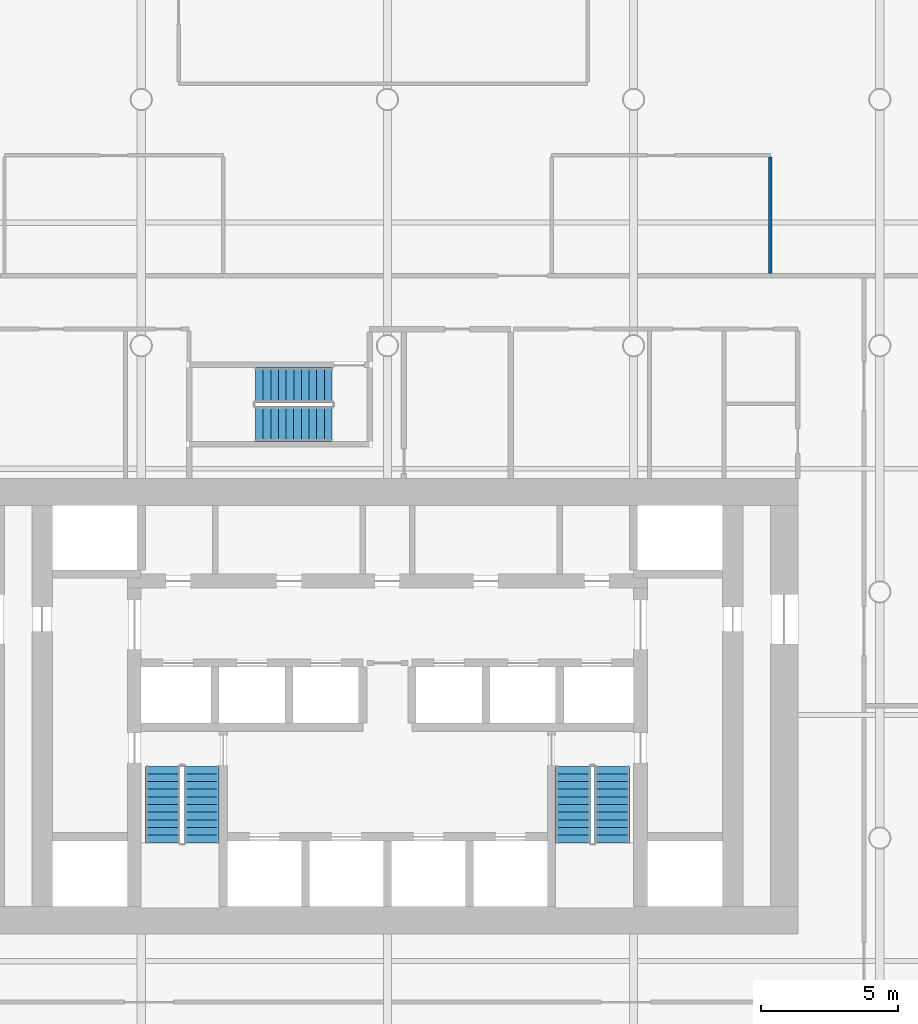
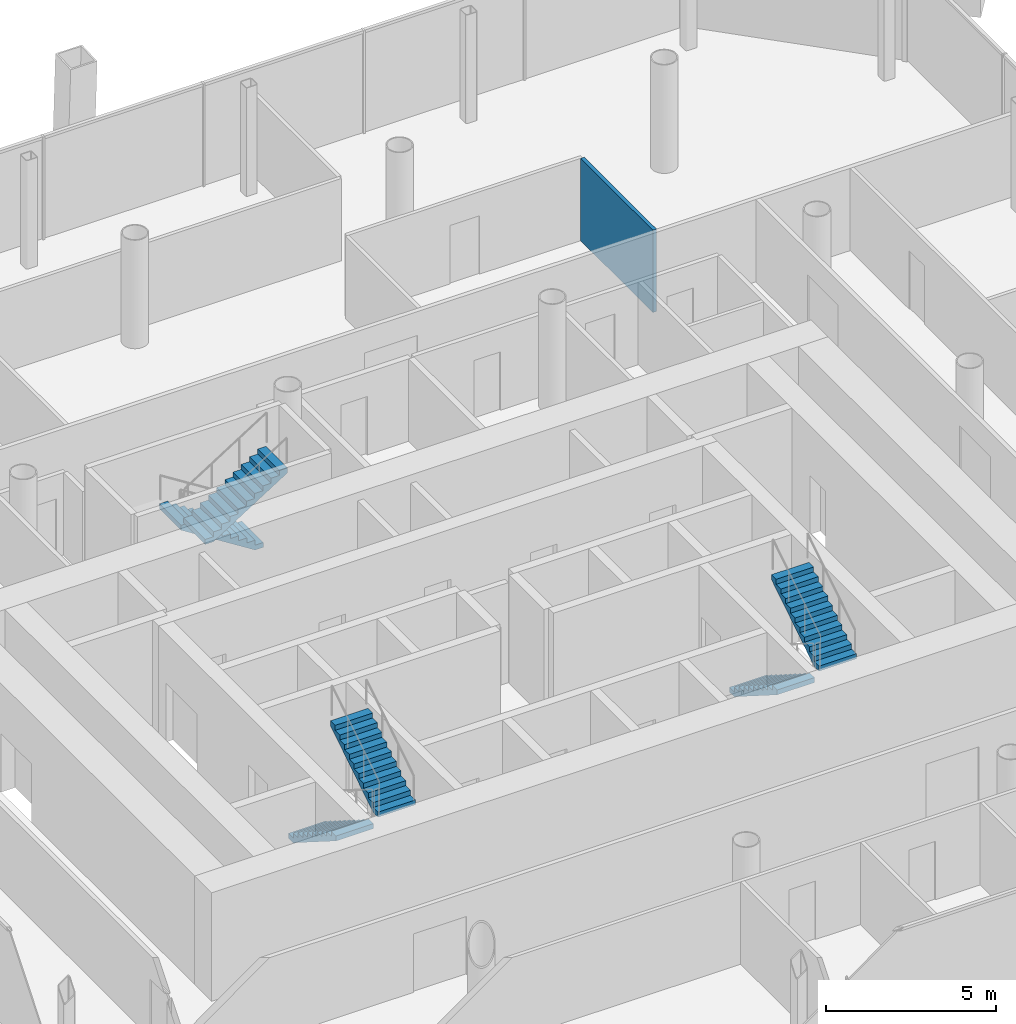
# One storey, part 14 of 19: 6 stair flights, 1 wall, 3 elements without a shape of their own.
"""IFC4 building model written with IfcOpenShell, lengths in metres."""

import ifcopenshell
import ifcopenshell.guid

model = None  # the IFC model being written
_history = None  # IfcOwnerHistory: only IFC2X3 demands one
_inside = {}  # id of a spatial element -> (the spatial element, [elements in it])
_under = {}  # id of a project, library or spatial element -> (it, [spatial elements below it])
_declared = {}  # id of a project -> (the project, [libraries it declares])
_typed = {}  # id of a type object -> (the type object, [elements of that type])
_made_of = {}  # id of a material, layer set ... -> (it, [elements and type objects made of it])


def new_model(schema):
    """Start an empty IFC model of exactly this schema.

    Asked for "IFC4X3", IfcOpenShell would pick the latest addendum, in which some entities
    have other attributes; the version numbers below select the first issue.
    IFC2X3 requires an IfcOwnerHistory on every rooted entity: one is made here for all.
    """
    global model, _history
    if schema == "IFC4X3":
        model = ifcopenshell.file(schema_version=(4, 3, 0, 0))
    else:
        model = ifcopenshell.file(schema=schema)
    _inside.clear()
    _under.clear()
    _declared.clear()
    _typed.clear()
    _made_of.clear()
    _history = None
    if model.schema == "IFC2X3":
        org = make("IfcOrganization", Name="unknown")
        user = make(
            "IfcPersonAndOrganization",
            ThePerson=make("IfcPerson", FamilyName="unknown"),
            TheOrganization=org,
        )
        app = make(
            "IfcApplication",
            ApplicationDeveloper=org,
            Version="unknown",
            ApplicationFullName="unknown",
            ApplicationIdentifier="unknown",
        )
        _history = make(
            "IfcOwnerHistory",
            OwningUser=user,
            OwningApplication=app,
            ChangeAction="ADDED",
            CreationDate=0,
        )
    return model


def make(cls, **values):
    """One entity of the class cls with the attributes given. An attribute that is None is left unset."""
    return model.create_entity(
        cls, **{name: value for name, value in values.items() if value is not None}
    )


def rooted(cls, **values):
    """An entity with a GlobalId (a new one), such as an element, a storey or a relation."""
    return make(cls, GlobalId=ifcopenshell.guid.new(), OwnerHistory=_history, **values)


def si_unit(unit_type, name, prefix=None):
    """IfcSIUnit, for example si_unit("LENGTHUNIT", "METRE", prefix="MILLI")."""
    return make("IfcSIUnit", UnitType=unit_type, Prefix=prefix, Name=name)


def assignment(units):
    """IfcUnitAssignment: the units of a project."""
    return None if units is None else make("IfcUnitAssignment", Units=units)


def point(xyz):
    """IfcCartesianPoint."""
    return None if xyz is None else make("IfcCartesianPoint", Coordinates=xyz)


def direction(xyz):
    """IfcDirection."""
    return None if xyz is None else make("IfcDirection", DirectionRatios=xyz)


def frame(location, z_axis=None, x_axis=None):
    """IfcAxis2Placement3D, a coordinate frame: its origin and axes. An axis left out is left unset."""
    return make(
        "IfcAxis2Placement3D",
        Location=point(location),
        Axis=direction(z_axis),
        RefDirection=direction(x_axis),
    )


def frame_2d(location, x_axis=None):
    """IfcAxis2Placement2D, a coordinate frame in the plane: its origin and x axis."""
    return make(
        "IfcAxis2Placement2D", Location=point(location), RefDirection=direction(x_axis)
    )


def origin():
    """The frame at (0, 0, 0) with its axes left unset."""
    return frame((0.0, 0.0, 0.0))


def place(relative_to, where):
    """IfcLocalPlacement: puts the frame where relative to a parent placement (None: the world)."""
    return make(
        "IfcLocalPlacement", PlacementRelTo=relative_to, RelativePlacement=where
    )


def context(
    kind, dimensions, precision=None, world=None, true_north=None, identifier=None
):
    """IfcGeometricRepresentationContext, for example the 3D "Model" context."""
    return make(
        "IfcGeometricRepresentationContext",
        ContextIdentifier=identifier,
        ContextType=kind,
        CoordinateSpaceDimension=dimensions,
        Precision=precision,
        WorldCoordinateSystem=world,
        TrueNorth=true_north,
    )


def subcontext(parent, identifier, kind, view, scale=None):
    """IfcGeometricRepresentationSubContext, for example "Body" below "Model"."""
    return make(
        "IfcGeometricRepresentationSubContext",
        ContextIdentifier=identifier,
        ContextType=kind,
        ParentContext=parent,
        TargetScale=scale,
        TargetView=view,
    )


def project(units=None, contexts=None):
    """IfcProject with its units and contexts."""
    return rooted(
        "IfcProject",
        Name="project",
        RepresentationContexts=contexts,
        UnitsInContext=assignment(units),
    )


def spatial(cls, under=None, at=None, **own):
    """A site, building, storey or space (cls), placed at a placement, below another one or the project."""
    s = rooted(cls, ObjectPlacement=at, **own)
    if under is not None:
        _under.setdefault(under.id(), (under, []))[1].append(s)
    return s


def polyline(points):
    """IfcPolyline through the points."""
    return make("IfcPolyline", Points=[point(p) for p in points])


def profile(cls, at=None, kind="AREA", **sizes):
    """A parametric profile (cls). Its sizes go by their IFC names, for example OverallWidth=200.0."""
    return make(cls, ProfileType=kind, Position=at, **sizes)


def rectangle(**sizes):
    """IfcRectangleProfileDef."""
    return profile("IfcRectangleProfileDef", **sizes)


def outline(outer, holes=None, kind="AREA"):
    """IfcArbitraryClosedProfileDef: a profile drawn as a closed curve; with holes, ...WithVoids."""
    if holes is None:
        return make("IfcArbitraryClosedProfileDef", ProfileType=kind, OuterCurve=outer)
    return make(
        "IfcArbitraryProfileDefWithVoids",
        ProfileType=kind,
        OuterCurve=outer,
        InnerCurves=holes,
    )


def extrude(swept, where, along, depth):
    """IfcExtrudedAreaSolid: the profile swept, set in the frame where, extruded along a direction by depth."""
    return make(
        "IfcExtrudedAreaSolid",
        SweptArea=swept,
        Position=where,
        ExtrudedDirection=direction(along),
        Depth=depth,
    )


def shape(context_of_items, identifier, shape_type, items):
    """IfcShapeRepresentation: the items that make up one representation, for example the "Body"."""
    return make(
        "IfcShapeRepresentation",
        ContextOfItems=context_of_items,
        RepresentationIdentifier=identifier,
        RepresentationType=shape_type,
        Items=items,
    )


def material(Name=None, Category=None):
    """IfcMaterial."""
    return make("IfcMaterial", Name=Name, Category=Category)


def layer(
    of_material, thickness, ventilated=None, Name=None, Category=None, Priority=None
):
    """IfcMaterialLayer: one layer of a wall or slab, of a material (None: an air gap)."""
    return make(
        "IfcMaterialLayer",
        Material=of_material,
        LayerThickness=thickness,
        IsVentilated=ventilated,
        Name=Name,
        Category=Category,
        Priority=Priority,
    )


def layer_set(layers, Name=None):
    """IfcMaterialLayerSet."""
    return make("IfcMaterialLayerSet", MaterialLayers=layers, LayerSetName=Name)


def made_of(thing, what):
    """Note that an element or type object is made of a material, layer set ...; save() writes the relation."""
    if what is not None:
        _made_of.setdefault(what.id(), (what, []))[1].append(thing)
    return thing


def type_object(cls, material=None, **own):
    """A type object (cls), such as IfcWallType, which elements share."""
    return made_of(rooted(cls, **own), material)


def element(
    cls,
    number,
    at=None,
    inside=None,
    cuts=None,
    type_object=None,
    material=None,
    context=None,
    identifier="Body",
    shape_type=None,
    held_by="IfcProductDefinitionShape",
    body=None,
    shapes=None,
    **own,
):
    """One element of the class cls, such as IfcWall. Its Tag is "e" and its number.

    at: its placement. inside: the storey or other place that contains it. cuts: it is an
    opening in that element (IfcRelVoidsElement). A single representation is given by context,
    identifier, shape_type and body (its items); several are given by shapes. held_by: the class
    of the entity that holds the representations. save() writes the other relations.
    """
    e = rooted(cls, Tag="e%d" % number, ObjectPlacement=at, **own)
    if body is not None:
        shapes = [shape(context, identifier, shape_type, body)]
    if shapes is not None:
        e.Representation = make(held_by, Representations=shapes)
    if inside is not None:
        _inside.setdefault(inside.id(), (inside, []))[1].append(e)
    if cuts is not None:
        rooted(
            "IfcRelVoidsElement", RelatingBuildingElement=cuts, RelatedOpeningElement=e
        )
    if type_object is not None:
        _typed.setdefault(type_object.id(), (type_object, []))[1].append(e)
    return made_of(e, material)


def aggregate(whole, parts):
    """IfcRelAggregates: a whole, such as a stair, and the parts it consists of."""
    return rooted("IfcRelAggregates", RelatingObject=whole, RelatedObjects=parts)


def save(model, path):
    """Write the relations noted so far, then the file.

    IfcRelAggregates (storeys below a building ...), IfcRelContainedInSpatialStructure (elements
    in a storey), IfcRelDefinesByType, IfcRelAssociatesMaterial and IfcRelDeclares: one each for
    every whole, place, type object, material and project.
    """
    for whole, parts in _under.values():
        aggregate(whole, parts)
    for where, things in _inside.values():
        rooted(
            "IfcRelContainedInSpatialStructure",
            RelatedElements=things,
            RelatingStructure=where,
        )
    for kind, things in _typed.values():
        rooted("IfcRelDefinesByType", RelatedObjects=things, RelatingType=kind)
    for what, things in _made_of.values():
        rooted("IfcRelAssociatesMaterial", RelatedObjects=things, RelatingMaterial=what)
    for by, libraries in _declared.values():
        rooted("IfcRelDeclares", RelatingContext=by, RelatedDefinitions=libraries)
    model.write(path)


model = new_model("IFC4")

# Units and contexts
model_context = context("Model", 3, precision=1e-05, world=origin(), true_north=direction((0.0, 1.0)))
body_context = subcontext(model_context, "Body", "Model", "MODEL_VIEW")
ifc_project = project(units=[si_unit("LENGTHUNIT", "METRE"), si_unit("AREAUNIT", "SQUARE_METRE"), si_unit("VOLUMEUNIT", "CUBIC_METRE"), si_unit("PLANEANGLEUNIT", "RADIAN"), si_unit("MASSUNIT", "GRAM", prefix="KILO")], contexts=[model_context])

# Site, building, storey
site_placement = place(None, origin())
site = spatial("IfcSite", under=ifc_project, at=site_placement, CompositionType="ELEMENT")
building_placement = place(site_placement, origin())
building = spatial("IfcBuilding", under=site, at=building_placement, Name="Tskaro Facet Tower", CompositionType="ELEMENT")
storey_placement = place(building_placement, frame((0.0, 0.0, 101.10009765625)))
storey = spatial("IfcBuildingStorey", under=building, at=storey_placement, Name="L24", CompositionType="ELEMENT", Elevation=101.10009765625)

# Wall
ifc_material_1 = material(Name="Gypsum board on steel studs", Category="steel")
ifc_layer = layer(ifc_material_1, 0.125, Name="Gypsum board on steel studs")
ifc_layer_set = layer_set([ifc_layer], Name="Gypsum board on steel studs")
wall_type = type_object("IfcWallType", Name="PART", PredefinedType="PARTITIONING", material=ifc_layer_set)
wall_placement = place(storey_placement, frame((14.0, 11.6298828125, 0.0), z_axis=(0.0, 0.0, 1.0), x_axis=(0.0, 1.0, 0.0)))
element("IfcWall", 1, at=wall_placement, inside=storey, type_object=wall_type, Name="Partition W068", PredefinedType="PARTITIONING", context=body_context, shape_type="SweptSolid", body=[
    extrude(rectangle(XDim=4.2626953125, YDim=0.125, at=frame_2d((2.13134765625, 0.0))), origin(), (0.0, 0.0, 1.0), 2.9599609375),
])

# Stair, stair flights
ifc_material_2 = material(Name="Concrete C40/50", Category="concrete")
stair_type = type_object("IfcStairType", Name="ST-TWR", PredefinedType="HALF_TURN_STAIR", material=ifc_material_2)
stair_1_placement = place(storey_placement, origin())
stair_1 = element("IfcStair", 2, at=stair_1_placement, inside=storey, type_object=stair_type, Name="L24 Exit stair 1", PredefinedType="HALF_TURN_STAIR")
stair_flight_type = type_object("IfcStairFlightType", Name="SFL-RC", PredefinedType="STRAIGHT", material=ifc_material_2)
stair_flight_1_placement = place(storey_placement, frame((-8.21240234375, -6.375, 0.0), z_axis=(0.0, 0.0, 1.0), x_axis=(0.0, -1.0, 0.0)))
stair_flight_1 = element("IfcStairFlight", 3, at=stair_flight_1_placement, type_object=stair_flight_type, Name="ST-1 flight 1", NumberOfRisers=11, NumberOfTreads=10, PredefinedType="STRAIGHT", RiserHeight=0.177272727, TreadLength=0.28, context=body_context, shape_type="SweptSolid", body=[
    extrude(outline(polyline([(0.0, 0.0), (0.0, 0.17724609375), (0.280029296875, 0.17724609375), (0.280029296875, 0.3544921875), (0.56005859375, 0.3544921875), (0.56005859375, 0.53173828125), (0.840087890625, 0.53173828125), (0.840087890625, 0.708984375), (1.1201171875, 0.708984375), (1.1201171875, 0.886474609375), (1.39990234375, 0.886474609375), (1.39990234375, 1.063720703125), (1.679931640625, 1.063720703125), (1.679931640625, 1.240966796875), (1.9599609375, 1.240966796875), (1.9599609375, 1.418212890625), (2.239990234375, 1.418212890625), (2.239990234375, 1.595458984375), (2.52001953125, 1.595458984375), (2.52001953125, 1.772705078125), (2.800048828125, 1.772705078125), (2.800048828125, 1.949951171875), (2.800048828125, 1.59521484375), (0.2802734375, 0.0), (0.0, 0.0)])), frame((0.0, 0.637451171875, 0.0), z_axis=(0.0, -1.0, 0.0), x_axis=(1.0, 0.0, 0.0)), (0.0, 0.0, 1.0), 1.27490234375),
])
stair_flight_2_placement = place(storey_placement, frame((-6.78759765625, -9.175048828125, 1.949951171875), z_axis=(0.0, 0.0, 1.0), x_axis=(0.0, 1.0, 0.0)))
stair_flight_2 = element("IfcStairFlight", 4, at=stair_flight_2_placement, type_object=stair_flight_type, Name="ST-1 flight 2", NumberOfRisers=11, NumberOfTreads=10, PredefinedType="STRAIGHT", RiserHeight=0.177272727, TreadLength=0.28, context=body_context, shape_type="SweptSolid", body=[
    extrude(outline(polyline([(0.0, 0.0), (0.0, 0.17724609375), (0.280029296875, 0.17724609375), (0.280029296875, 0.3544921875), (0.56005859375, 0.3544921875), (0.56005859375, 0.53173828125), (0.840087890625, 0.53173828125), (0.840087890625, 0.708984375), (1.1201171875, 0.708984375), (1.1201171875, 0.886474609375), (1.39990234375, 0.886474609375), (1.39990234375, 1.063720703125), (1.679931640625, 1.063720703125), (1.679931640625, 1.240966796875), (1.9599609375, 1.240966796875), (1.9599609375, 1.418212890625), (2.239990234375, 1.418212890625), (2.239990234375, 1.595458984375), (2.52001953125, 1.595458984375), (2.52001953125, 1.772705078125), (2.800048828125, 1.772705078125), (2.800048828125, 1.949951171875), (2.800048828125, 1.59521484375), (0.2802734375, 0.0), (0.0, 0.0)])), frame((0.0, 0.637451171875, 0.0), z_axis=(0.0, -1.0, 0.0), x_axis=(1.0, 0.0, 0.0)), (0.0, 0.0, 1.0), 1.27490234375),
])
aggregate(stair_1, [stair_flight_1, stair_flight_2])

stair_2_placement = place(storey_placement, origin())
stair_2 = element("IfcStair", 5, at=stair_2_placement, inside=storey, type_object=stair_type, Name="L24 Exit stair 2", PredefinedType="HALF_TURN_STAIR")
stair_flight_3_placement = place(storey_placement, frame((6.78759765625, -6.375, 0.0), z_axis=(0.0, 0.0, 1.0), x_axis=(0.0, -1.0, 0.0)))
stair_flight_3 = element("IfcStairFlight", 6, at=stair_flight_3_placement, type_object=stair_flight_type, Name="ST-2 flight 1", NumberOfRisers=11, NumberOfTreads=10, PredefinedType="STRAIGHT", RiserHeight=0.177272727, TreadLength=0.28, context=body_context, shape_type="SweptSolid", body=[
    extrude(outline(polyline([(0.0, 0.0), (0.0, 0.17724609375), (0.280029296875, 0.17724609375), (0.280029296875, 0.3544921875), (0.56005859375, 0.3544921875), (0.56005859375, 0.53173828125), (0.840087890625, 0.53173828125), (0.840087890625, 0.708984375), (1.1201171875, 0.708984375), (1.1201171875, 0.886474609375), (1.39990234375, 0.886474609375), (1.39990234375, 1.063720703125), (1.679931640625, 1.063720703125), (1.679931640625, 1.240966796875), (1.9599609375, 1.240966796875), (1.9599609375, 1.418212890625), (2.239990234375, 1.418212890625), (2.239990234375, 1.595458984375), (2.52001953125, 1.595458984375), (2.52001953125, 1.772705078125), (2.800048828125, 1.772705078125), (2.800048828125, 1.949951171875), (2.800048828125, 1.59521484375), (0.2802734375, 0.0), (0.0, 0.0)])), frame((0.0, 0.637451171875, 0.0), z_axis=(0.0, -1.0, 0.0), x_axis=(1.0, 0.0, 0.0)), (0.0, 0.0, 1.0), 1.27490234375),
])
stair_flight_4_placement = place(storey_placement, frame((8.21240234375, -9.175048828125, 1.949951171875), z_axis=(0.0, 0.0, 1.0), x_axis=(0.0, 1.0, 0.0)))
stair_flight_4 = element("IfcStairFlight", 7, at=stair_flight_4_placement, type_object=stair_flight_type, Name="ST-2 flight 2", NumberOfRisers=11, NumberOfTreads=10, PredefinedType="STRAIGHT", RiserHeight=0.177272727, TreadLength=0.28, context=body_context, shape_type="SweptSolid", body=[
    extrude(outline(polyline([(0.0, 0.0), (0.0, 0.17724609375), (0.280029296875, 0.17724609375), (0.280029296875, 0.3544921875), (0.56005859375, 0.3544921875), (0.56005859375, 0.53173828125), (0.840087890625, 0.53173828125), (0.840087890625, 0.708984375), (1.1201171875, 0.708984375), (1.1201171875, 0.886474609375), (1.39990234375, 0.886474609375), (1.39990234375, 1.063720703125), (1.679931640625, 1.063720703125), (1.679931640625, 1.240966796875), (1.9599609375, 1.240966796875), (1.9599609375, 1.418212890625), (2.239990234375, 1.418212890625), (2.239990234375, 1.595458984375), (2.52001953125, 1.595458984375), (2.52001953125, 1.772705078125), (2.800048828125, 1.772705078125), (2.800048828125, 1.949951171875), (2.800048828125, 1.59521484375), (0.2802734375, 0.0), (0.0, 0.0)])), frame((0.0, 0.637451171875, 0.0), z_axis=(0.0, -1.0, 0.0), x_axis=(1.0, 0.0, 0.0)), (0.0, 0.0, 1.0), 1.27490234375),
])
aggregate(stair_2, [stair_flight_3, stair_flight_4])

stair_3_placement = place(storey_placement, origin())
stair_3 = element("IfcStair", 8, at=stair_3_placement, inside=storey, type_object=stair_type, Name="L24 Exit stair 3", PredefinedType="HALF_TURN_STAIR")
stair_flight_5_placement = place(storey_placement, frame((-2.02490234375, 7.5625, 0.0), z_axis=(0.0, 0.0, 1.0), x_axis=(-1.0, 0.0, 0.0)))
stair_flight_5 = element("IfcStairFlight", 9, at=stair_flight_5_placement, type_object=stair_flight_type, Name="ST-3 flight 1", NumberOfRisers=11, NumberOfTreads=10, PredefinedType="STRAIGHT", RiserHeight=0.177272727, TreadLength=0.28, context=body_context, shape_type="SweptSolid", body=[
    extrude(outline(polyline([(0.0, 0.0), (0.0, 0.17724609375), (0.280029296875, 0.17724609375), (0.280029296875, 0.3544921875), (0.56005859375, 0.3544921875), (0.56005859375, 0.53173828125), (0.840087890625, 0.53173828125), (0.840087890625, 0.708984375), (1.1201171875, 0.708984375), (1.1201171875, 0.886474609375), (1.39990234375, 0.886474609375), (1.39990234375, 1.063720703125), (1.679931640625, 1.063720703125), (1.679931640625, 1.240966796875), (1.9599609375, 1.240966796875), (1.9599609375, 1.418212890625), (2.239990234375, 1.418212890625), (2.239990234375, 1.595458984375), (2.52001953125, 1.595458984375), (2.52001953125, 1.772705078125), (2.800048828125, 1.772705078125), (2.800048828125, 1.949951171875), (2.800048828125, 1.59521484375), (0.2802734375, 0.0), (0.0, 0.0)])), frame((0.0, 0.637451171875, 0.0), z_axis=(0.0, -1.0, 0.0), x_axis=(1.0, 0.0, 0.0)), (0.0, 0.0, 1.0), 1.27490234375),
])
stair_flight_6_placement = place(storey_placement, frame((-4.824951171875, 6.137451171875, 1.949951171875), z_axis=(0.0, 0.0, 1.0), x_axis=(1.0, 0.0, 0.0)))
stair_flight_6 = element("IfcStairFlight", 10, at=stair_flight_6_placement, type_object=stair_flight_type, Name="ST-3 flight 2", NumberOfRisers=11, NumberOfTreads=10, PredefinedType="STRAIGHT", RiserHeight=0.177272727, TreadLength=0.28, context=body_context, shape_type="SweptSolid", body=[
    extrude(outline(polyline([(0.0, 0.0), (0.0, 0.17724609375), (0.280029296875, 0.17724609375), (0.280029296875, 0.3544921875), (0.56005859375, 0.3544921875), (0.56005859375, 0.53173828125), (0.840087890625, 0.53173828125), (0.840087890625, 0.708984375), (1.1201171875, 0.708984375), (1.1201171875, 0.886474609375), (1.39990234375, 0.886474609375), (1.39990234375, 1.063720703125), (1.679931640625, 1.063720703125), (1.679931640625, 1.240966796875), (1.9599609375, 1.240966796875), (1.9599609375, 1.418212890625), (2.239990234375, 1.418212890625), (2.239990234375, 1.595458984375), (2.52001953125, 1.595458984375), (2.52001953125, 1.772705078125), (2.800048828125, 1.772705078125), (2.800048828125, 1.949951171875), (2.800048828125, 1.59521484375), (0.2802734375, 0.0), (0.0, 0.0)])), frame((0.0, 0.637451171875, 0.0), z_axis=(0.0, -1.0, 0.0), x_axis=(1.0, 0.0, 0.0)), (0.0, 0.0, 1.0), 1.27490234375),
])
aggregate(stair_3, [stair_flight_5, stair_flight_6])

save(model, "model.ifc")
